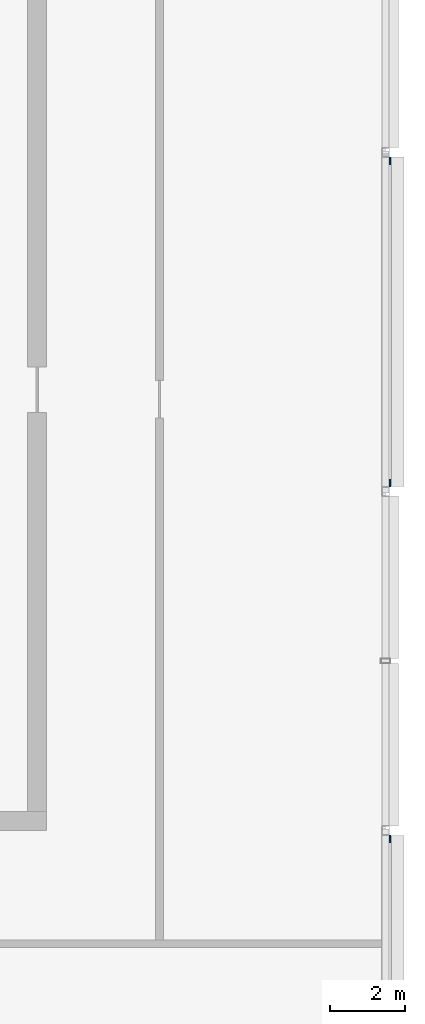
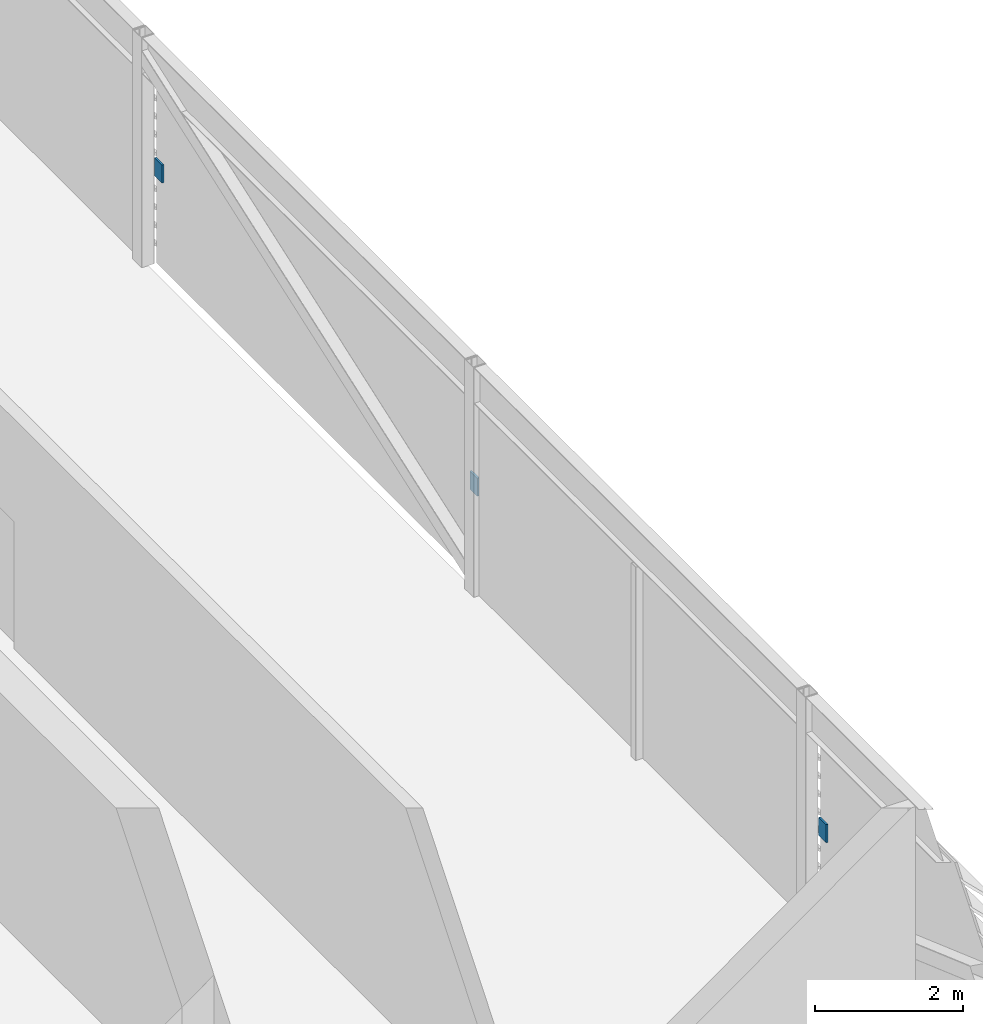
# One storey, part 22 of 28: 3 discrete accessories.
"""IFC4 building model written with IfcOpenShell, lengths in metres."""

from ifc_helpers import new_model, si_unit, direction, frame, origin, origin_2d, place, context, subcontext, project, spatial, rectangle, extrude, material, type_object, element, save


model = new_model("IFC4")

# Units and contexts
model_context = context("Model", 3, precision=1e-05, world=origin(), true_north=direction((0.0, 1.0)))
body_context = subcontext(model_context, "Body", "Model", "MODEL_VIEW")
ifc_project = project(units=[si_unit("LENGTHUNIT", "METRE"), si_unit("AREAUNIT", "SQUARE_METRE"), si_unit("VOLUMEUNIT", "CUBIC_METRE"), si_unit("PLANEANGLEUNIT", "RADIAN"), si_unit("MASSUNIT", "GRAM", prefix="KILO")], contexts=[model_context])

# Site, building, storey
site_placement = place(None, origin())
site = spatial("IfcSite", under=ifc_project, at=site_placement, CompositionType="ELEMENT")
building_placement = place(site_placement, origin())
building = spatial("IfcBuilding", under=site, at=building_placement, Name="Madar Terraces", CompositionType="ELEMENT")
storey_placement = place(building_placement, frame((0.0, 0.0, 305.89990234375)))
storey = spatial("IfcBuildingStorey", under=building, at=storey_placement, Name="L79", CompositionType="ELEMENT", Elevation=305.89990234375)

# Discrete accessories
ifc_material = material(Name="Steel, galvanised", Category="steel")
discrete_accessory_type = type_object("IfcDiscreteAccessoryType", Name="Louvre bank bracket", PredefinedType="BRACKET", material=ifc_material)
for number, where, z_axis, x_axis, name in (
    (1, (56.5166015625, 14.77294921875, 1.44921875), (0.0, 0.0, 1.0), (0.0, 1.0, 0.0), "Louvre bank bracket"),
    (2, (56.5166015625, 24.22705078125, 1.44921875), (0.0, 0.0, 1.0), (0.0, 1.0, 0.0), "Louvre bank bracket"),
    (3, (56.5166015625, 32.77294921875, 1.44921875), (0.0, 0.0, 1.0), (0.0, 1.0, 0.0), "Louvre bank bracket"),
):
    element("IfcDiscreteAccessory", number, at=place(storey_placement, frame(where, z_axis=z_axis, x_axis=x_axis)), inside=storey, type_object=discrete_accessory_type, Name=name, PredefinedType="BRACKET", context=body_context, shape_type="SweptSolid", body=[
        extrude(rectangle(XDim=0.199951171875, YDim=0.030029296875, at=origin_2d()), origin(), (0.0, 0.0, 1.0), 0.300048828125),
    ])

save(model, "model.ifc")
